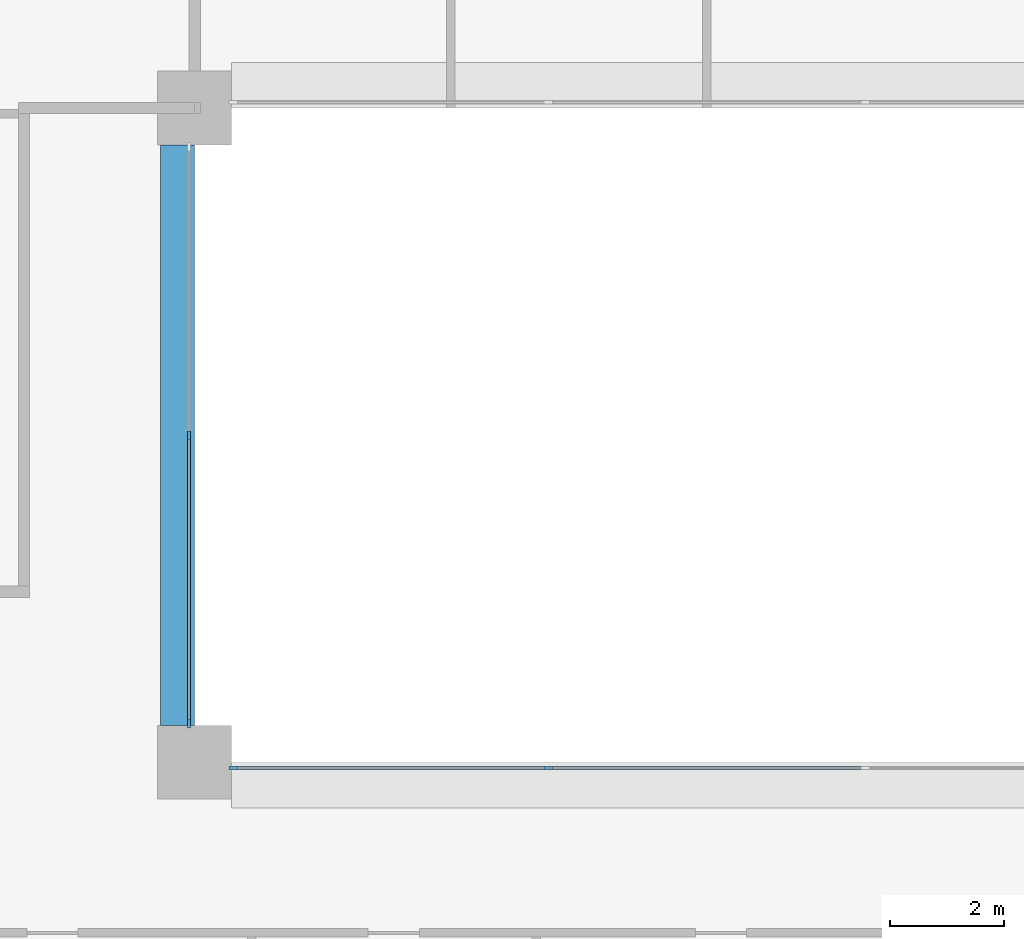
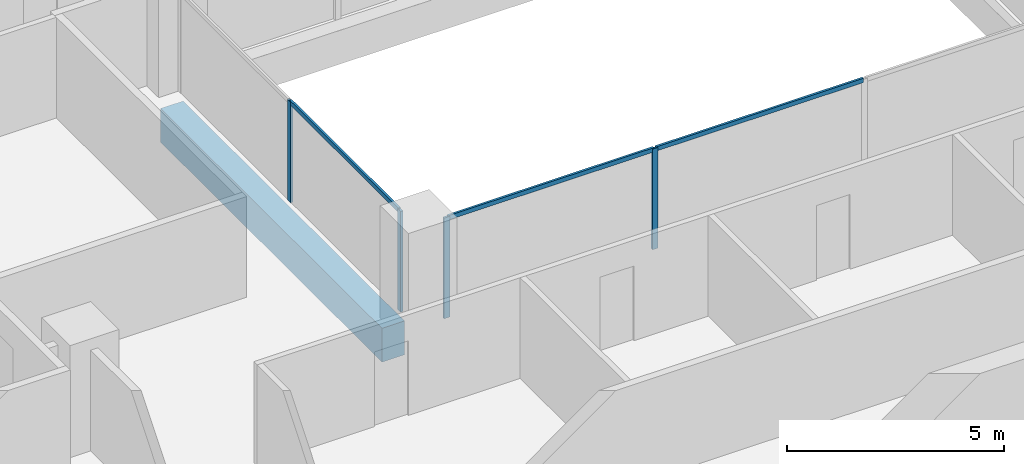
# One storey, part 2 of 16: 7 members, 1 beam, 2 elements without a shape of their own.
"""IFC4 building model written with IfcOpenShell, lengths in metres."""

import ifcopenshell
import ifcopenshell.guid

model = None  # the IFC model being written
_history = None  # IfcOwnerHistory: only IFC2X3 demands one
_inside = {}  # id of a spatial element -> (the spatial element, [elements in it])
_under = {}  # id of a project, library or spatial element -> (it, [spatial elements below it])
_declared = {}  # id of a project -> (the project, [libraries it declares])
_typed = {}  # id of a type object -> (the type object, [elements of that type])
_made_of = {}  # id of a material, layer set ... -> (it, [elements and type objects made of it])


def new_model(schema):
    """Start an empty IFC model of exactly this schema.

    Asked for "IFC4X3", IfcOpenShell would pick the latest addendum, in which some entities
    have other attributes; the version numbers below select the first issue.
    IFC2X3 requires an IfcOwnerHistory on every rooted entity: one is made here for all.
    """
    global model, _history
    if schema == "IFC4X3":
        model = ifcopenshell.file(schema_version=(4, 3, 0, 0))
    else:
        model = ifcopenshell.file(schema=schema)
    _inside.clear()
    _under.clear()
    _declared.clear()
    _typed.clear()
    _made_of.clear()
    _history = None
    if model.schema == "IFC2X3":
        org = make("IfcOrganization", Name="unknown")
        user = make(
            "IfcPersonAndOrganization",
            ThePerson=make("IfcPerson", FamilyName="unknown"),
            TheOrganization=org,
        )
        app = make(
            "IfcApplication",
            ApplicationDeveloper=org,
            Version="unknown",
            ApplicationFullName="unknown",
            ApplicationIdentifier="unknown",
        )
        _history = make(
            "IfcOwnerHistory",
            OwningUser=user,
            OwningApplication=app,
            ChangeAction="ADDED",
            CreationDate=0,
        )
    return model


def make(cls, **values):
    """One entity of the class cls with the attributes given. An attribute that is None is left unset."""
    return model.create_entity(
        cls, **{name: value for name, value in values.items() if value is not None}
    )


def rooted(cls, **values):
    """An entity with a GlobalId (a new one), such as an element, a storey or a relation."""
    return make(cls, GlobalId=ifcopenshell.guid.new(), OwnerHistory=_history, **values)


def si_unit(unit_type, name, prefix=None):
    """IfcSIUnit, for example si_unit("LENGTHUNIT", "METRE", prefix="MILLI")."""
    return make("IfcSIUnit", UnitType=unit_type, Prefix=prefix, Name=name)


def assignment(units):
    """IfcUnitAssignment: the units of a project."""
    return None if units is None else make("IfcUnitAssignment", Units=units)


def point(xyz):
    """IfcCartesianPoint."""
    return None if xyz is None else make("IfcCartesianPoint", Coordinates=xyz)


def direction(xyz):
    """IfcDirection."""
    return None if xyz is None else make("IfcDirection", DirectionRatios=xyz)


def frame(location, z_axis=None, x_axis=None):
    """IfcAxis2Placement3D, a coordinate frame: its origin and axes. An axis left out is left unset."""
    return make(
        "IfcAxis2Placement3D",
        Location=point(location),
        Axis=direction(z_axis),
        RefDirection=direction(x_axis),
    )


def frame_2d(location, x_axis=None):
    """IfcAxis2Placement2D, a coordinate frame in the plane: its origin and x axis."""
    return make(
        "IfcAxis2Placement2D", Location=point(location), RefDirection=direction(x_axis)
    )


def origin():
    """The frame at (0, 0, 0) with its axes left unset."""
    return frame((0.0, 0.0, 0.0))


def origin_2d():
    """The frame at (0, 0) in the plane with its x axis left unset."""
    return frame_2d((0.0, 0.0))


def place(relative_to, where):
    """IfcLocalPlacement: puts the frame where relative to a parent placement (None: the world)."""
    return make(
        "IfcLocalPlacement", PlacementRelTo=relative_to, RelativePlacement=where
    )


def context(
    kind, dimensions, precision=None, world=None, true_north=None, identifier=None
):
    """IfcGeometricRepresentationContext, for example the 3D "Model" context."""
    return make(
        "IfcGeometricRepresentationContext",
        ContextIdentifier=identifier,
        ContextType=kind,
        CoordinateSpaceDimension=dimensions,
        Precision=precision,
        WorldCoordinateSystem=world,
        TrueNorth=true_north,
    )


def subcontext(parent, identifier, kind, view, scale=None):
    """IfcGeometricRepresentationSubContext, for example "Body" below "Model"."""
    return make(
        "IfcGeometricRepresentationSubContext",
        ContextIdentifier=identifier,
        ContextType=kind,
        ParentContext=parent,
        TargetScale=scale,
        TargetView=view,
    )


def project(units=None, contexts=None):
    """IfcProject with its units and contexts."""
    return rooted(
        "IfcProject",
        Name="project",
        RepresentationContexts=contexts,
        UnitsInContext=assignment(units),
    )


def spatial(cls, under=None, at=None, **own):
    """A site, building, storey or space (cls), placed at a placement, below another one or the project."""
    s = rooted(cls, ObjectPlacement=at, **own)
    if under is not None:
        _under.setdefault(under.id(), (under, []))[1].append(s)
    return s


def profile(cls, at=None, kind="AREA", **sizes):
    """A parametric profile (cls). Its sizes go by their IFC names, for example OverallWidth=200.0."""
    return make(cls, ProfileType=kind, Position=at, **sizes)


def rectangle(**sizes):
    """IfcRectangleProfileDef."""
    return profile("IfcRectangleProfileDef", **sizes)


def extrude(swept, where, along, depth):
    """IfcExtrudedAreaSolid: the profile swept, set in the frame where, extruded along a direction by depth."""
    return make(
        "IfcExtrudedAreaSolid",
        SweptArea=swept,
        Position=where,
        ExtrudedDirection=direction(along),
        Depth=depth,
    )


def shape(context_of_items, identifier, shape_type, items):
    """IfcShapeRepresentation: the items that make up one representation, for example the "Body"."""
    return make(
        "IfcShapeRepresentation",
        ContextOfItems=context_of_items,
        RepresentationIdentifier=identifier,
        RepresentationType=shape_type,
        Items=items,
    )


def material(Name=None, Category=None):
    """IfcMaterial."""
    return make("IfcMaterial", Name=Name, Category=Category)


def layer(
    of_material, thickness, ventilated=None, Name=None, Category=None, Priority=None
):
    """IfcMaterialLayer: one layer of a wall or slab, of a material (None: an air gap)."""
    return make(
        "IfcMaterialLayer",
        Material=of_material,
        LayerThickness=thickness,
        IsVentilated=ventilated,
        Name=Name,
        Category=Category,
        Priority=Priority,
    )


def layer_set(layers, Name=None):
    """IfcMaterialLayerSet."""
    return make("IfcMaterialLayerSet", MaterialLayers=layers, LayerSetName=Name)


def material_profile(
    of_material, cross_section, Name=None, Category=None, Priority=None
):
    """IfcMaterialProfile: a cross section and its material."""
    return make(
        "IfcMaterialProfile",
        Name=Name,
        Material=of_material,
        Profile=cross_section,
        Priority=Priority,
        Category=Category,
    )


def profile_set(profiles, Name=None, composite=None):
    """IfcMaterialProfileSet."""
    return make(
        "IfcMaterialProfileSet",
        Name=Name,
        MaterialProfiles=profiles,
        CompositeProfile=composite,
    )


def made_of(thing, what):
    """Note that an element or type object is made of a material, layer set ...; save() writes the relation."""
    if what is not None:
        _made_of.setdefault(what.id(), (what, []))[1].append(thing)
    return thing


def type_object(cls, material=None, **own):
    """A type object (cls), such as IfcWallType, which elements share."""
    return made_of(rooted(cls, **own), material)


def element(
    cls,
    number,
    at=None,
    inside=None,
    cuts=None,
    type_object=None,
    material=None,
    context=None,
    identifier="Body",
    shape_type=None,
    held_by="IfcProductDefinitionShape",
    body=None,
    shapes=None,
    **own,
):
    """One element of the class cls, such as IfcWall. Its Tag is "e" and its number.

    at: its placement. inside: the storey or other place that contains it. cuts: it is an
    opening in that element (IfcRelVoidsElement). A single representation is given by context,
    identifier, shape_type and body (its items); several are given by shapes. held_by: the class
    of the entity that holds the representations. save() writes the other relations.
    """
    e = rooted(cls, Tag="e%d" % number, ObjectPlacement=at, **own)
    if body is not None:
        shapes = [shape(context, identifier, shape_type, body)]
    if shapes is not None:
        e.Representation = make(held_by, Representations=shapes)
    if inside is not None:
        _inside.setdefault(inside.id(), (inside, []))[1].append(e)
    if cuts is not None:
        rooted(
            "IfcRelVoidsElement", RelatingBuildingElement=cuts, RelatedOpeningElement=e
        )
    if type_object is not None:
        _typed.setdefault(type_object.id(), (type_object, []))[1].append(e)
    return made_of(e, material)


def aggregate(whole, parts):
    """IfcRelAggregates: a whole, such as a stair, and the parts it consists of."""
    return rooted("IfcRelAggregates", RelatingObject=whole, RelatedObjects=parts)


def save(model, path):
    """Write the relations noted so far, then the file.

    IfcRelAggregates (storeys below a building ...), IfcRelContainedInSpatialStructure (elements
    in a storey), IfcRelDefinesByType, IfcRelAssociatesMaterial and IfcRelDeclares: one each for
    every whole, place, type object, material and project.
    """
    for whole, parts in _under.values():
        aggregate(whole, parts)
    for where, things in _inside.values():
        rooted(
            "IfcRelContainedInSpatialStructure",
            RelatedElements=things,
            RelatingStructure=where,
        )
    for kind, things in _typed.values():
        rooted("IfcRelDefinesByType", RelatedObjects=things, RelatingType=kind)
    for what, things in _made_of.values():
        rooted("IfcRelAssociatesMaterial", RelatedObjects=things, RelatingMaterial=what)
    for by, libraries in _declared.values():
        rooted("IfcRelDeclares", RelatingContext=by, RelatedDefinitions=libraries)
    model.write(path)


model = new_model("IFC4")

# Units and contexts
model_context = context("Model", 3, precision=1e-05, world=origin(), true_north=direction((0.0, 1.0)))
body_context = subcontext(model_context, "Body", "Model", "MODEL_VIEW")
ifc_project = project(units=[si_unit("LENGTHUNIT", "METRE"), si_unit("AREAUNIT", "SQUARE_METRE"), si_unit("VOLUMEUNIT", "CUBIC_METRE"), si_unit("PLANEANGLEUNIT", "RADIAN"), si_unit("MASSUNIT", "GRAM", prefix="KILO")], contexts=[model_context])

# Site, building, storey
site_placement = place(None, origin())
site = spatial("IfcSite", under=ifc_project, at=site_placement, CompositionType="ELEMENT")
building_placement = place(site_placement, origin())
building = spatial("IfcBuilding", under=site, at=building_placement, Name="Brigalow Station Residences", CompositionType="ELEMENT")
storey_placement = place(building_placement, frame((0.0, 0.0, 118.199951171875)))
storey = spatial("IfcBuildingStorey", under=building, at=storey_placement, Name="L34", CompositionType="ELEMENT", Elevation=118.199951171875)

# Beam
ifc_material_1 = material(Name="Concrete C65", Category="concrete")
ifc_material_profile_1 = material_profile(ifc_material_1, rectangle(XDim=0.60009765625, YDim=0.949951171875, at=origin_2d()), Name="RC600x950")
ifc_profile_set_1 = profile_set([ifc_material_profile_1], Name="Concrete C65")
beam_type = type_object("IfcBeamType", Name="ATRIUM EDGE GIRDER 600x950 C65", PredefinedType="BEAM", material=ifc_profile_set_1)
beam_placement = place(storey_placement, frame((26.699951171875, 24.64990234375, -0.794921875), z_axis=(0.0, 1.0, 0.0), x_axis=(-1.0, 0.0, 0.0)))
element("IfcBeam", 1, at=beam_placement, inside=storey, type_object=beam_type, Name="ATRIUM EDGE GIRDER 3 L34", PredefinedType="BEAM", context=body_context, shape_type="SweptSolid", body=[
    extrude(rectangle(XDim=0.60009765625, YDim=0.949951171875, at=origin_2d()), origin(), (0.0, 0.0, 1.0), 10.2001953125),
])

# Curtain wall, members
ifc_material_2 = material(Name="Aluminium", Category="aluminium")
ifc_layer = layer(ifc_material_2, 0.14990234375)
ifc_layer_set = layer_set([ifc_layer], Name="ATRIUM FIRE-RATED GLAZING CURTAIN WALL")
curtain_wall_type = type_object("IfcCurtainWallType", Name="ATRIUM FIRE-RATED GLAZING CURTAIN WALL", PredefinedType="NOTDEFINED", material=ifc_layer_set)
curtain_wall_1_placement = place(storey_placement, origin())
curtain_wall_1 = element("IfcCurtainWall", 2, at=curtain_wall_1_placement, inside=storey, type_object=curtain_wall_type, Name="L34/cw/atrium-S", PredefinedType="NOTDEFINED")
ifc_material_3 = material(Name="Aluminium", Category="aluminium")
ifc_material_profile_2 = material_profile(ifc_material_3, rectangle(XDim=0.06005859375, YDim=0.14990234375, at=origin_2d()), Name="ATRIUM FIRE-RATED GLAZING MULLION 60x150")
ifc_profile_set_2 = profile_set([ifc_material_profile_2], Name="Aluminium")
member_type_1 = type_object("IfcMemberType", Name="ATRIUM FIRE-RATED GLAZING MULLION 60x150", PredefinedType="MULLION", material=ifc_profile_set_2)
member_1_placement = place(storey_placement, frame((27.679931640625, 23.89990234375, 0.0), z_axis=(0.0, 0.0, 1.0), x_axis=(0.0, 1.0, 0.0)))
member_1 = element("IfcMember", 3, at=member_1_placement, type_object=member_type_1, Name="L34/cw/atrium-S/M00", PredefinedType="MULLION", context=body_context, shape_type="SweptSolid", body=[
    extrude(rectangle(XDim=0.06005859375, YDim=0.14990234375, at=origin_2d()), origin(), (0.0, 0.0, 1.0), 2.830078125),
])
member_2_placement = place(storey_placement, frame((33.216796875, 23.89990234375, 0.0), z_axis=(0.0, 0.0, 1.0), x_axis=(0.0, 1.0, 0.0)))
member_2 = element("IfcMember", 4, at=member_2_placement, type_object=member_type_1, Name="L34/cw/atrium-S/M01", PredefinedType="MULLION", context=body_context, shape_type="SweptSolid", body=[
    extrude(rectangle(XDim=0.06005859375, YDim=0.14990234375, at=origin_2d()), origin(), (0.0, 0.0, 1.0), 2.830078125),
])

curtain_wall_2_placement = place(storey_placement, origin())
curtain_wall_2 = element("IfcCurtainWall", 5, at=curtain_wall_2_placement, inside=storey, type_object=curtain_wall_type, Name="L34/cw/atrium-W", PredefinedType="NOTDEFINED")
member_3_placement = place(storey_placement, frame((26.89990234375, 29.75, 0.0), z_axis=(0.0, 0.0, 1.0), x_axis=(1.0, 0.0, 0.0)))
member_3 = element("IfcMember", 6, at=member_3_placement, type_object=member_type_1, Name="L34/cw/atrium-W/M01", PredefinedType="MULLION", context=body_context, shape_type="SweptSolid", body=[
    extrude(rectangle(XDim=0.06005859375, YDim=0.14990234375, at=origin_2d()), origin(), (0.0, 0.0, 1.0), 2.830078125),
])
member_4_placement = place(storey_placement, frame((26.89990234375, 24.679931640625, 0.0), z_axis=(0.0, 0.0, 1.0), x_axis=(1.0, 0.0, 0.0)))
member_4 = element("IfcMember", 7, at=member_4_placement, type_object=member_type_1, Name="L34/cw/atrium-W/M02", PredefinedType="MULLION", context=body_context, shape_type="SweptSolid", body=[
    extrude(rectangle(XDim=0.06005859375, YDim=0.14990234375, at=origin_2d()), origin(), (0.0, 0.0, 1.0), 2.830078125),
])

# Member
ifc_material_4 = material(Name="Aluminium", Category="aluminium")
ifc_material_profile_3 = material_profile(ifc_material_4, rectangle(XDim=0.06005859375, YDim=0.1201171875, at=origin_2d()), Name="ATRIUM FIRE-RATED GLAZING TRANSOM 60x120")
ifc_profile_set_3 = profile_set([ifc_material_profile_3], Name="Aluminium")
member_type_2 = type_object("IfcMemberType", Name="ATRIUM FIRE-RATED GLAZING TRANSOM 60x120", PredefinedType="USERDEFINED", material=ifc_profile_set_3)
member_5_placement = place(storey_placement, frame((27.7099609375, 23.89990234375, 2.800048828125), z_axis=(1.0, 0.0, 0.0), x_axis=(0.0, 1.0, 0.0)))
member_5 = element("IfcMember", 8, at=member_5_placement, type_object=member_type_2, Name="L34/cw/atrium-S/T00-00", ObjectType="TRANSOM", PredefinedType="USERDEFINED", context=body_context, shape_type="SweptSolid", body=[
    extrude(rectangle(XDim=0.06005859375, YDim=0.1201171875, at=origin_2d()), origin(), (0.0, 0.0, 1.0), 5.476806640625),
])

member_6_placement = place(storey_placement, frame((33.24658203125, 23.89990234375, 2.800048828125), z_axis=(1.0, 0.0, 0.0), x_axis=(0.0, 1.0, 0.0)))
member_6 = element("IfcMember", 9, at=member_6_placement, type_object=member_type_2, Name="L34/cw/atrium-S/T01-00", ObjectType="TRANSOM", PredefinedType="USERDEFINED", context=body_context, shape_type="SweptSolid", body=[
    extrude(rectangle(XDim=0.06005859375, YDim=0.1201171875, at=origin_2d()), origin(), (0.0, 0.0, 1.0), 5.5068359375),
])

aggregate(curtain_wall_1, [member_1, member_2, member_5, member_6])

member_7_placement = place(storey_placement, frame((26.89990234375, 29.719970703125, 2.800048828125), z_axis=(0.0, -1.0, 0.0), x_axis=(1.0, 0.0, 0.0)))
member_7 = element("IfcMember", 10, at=member_7_placement, type_object=member_type_2, Name="L34/cw/atrium-W/T01-00", ObjectType="TRANSOM", PredefinedType="USERDEFINED", context=body_context, shape_type="SweptSolid", body=[
    extrude(rectangle(XDim=0.06005859375, YDim=0.1201171875, at=origin_2d()), origin(), (0.0, 0.0, 1.0), 5.010009765625),
])

aggregate(curtain_wall_2, [member_3, member_4, member_7])

save(model, "model.ifc")
